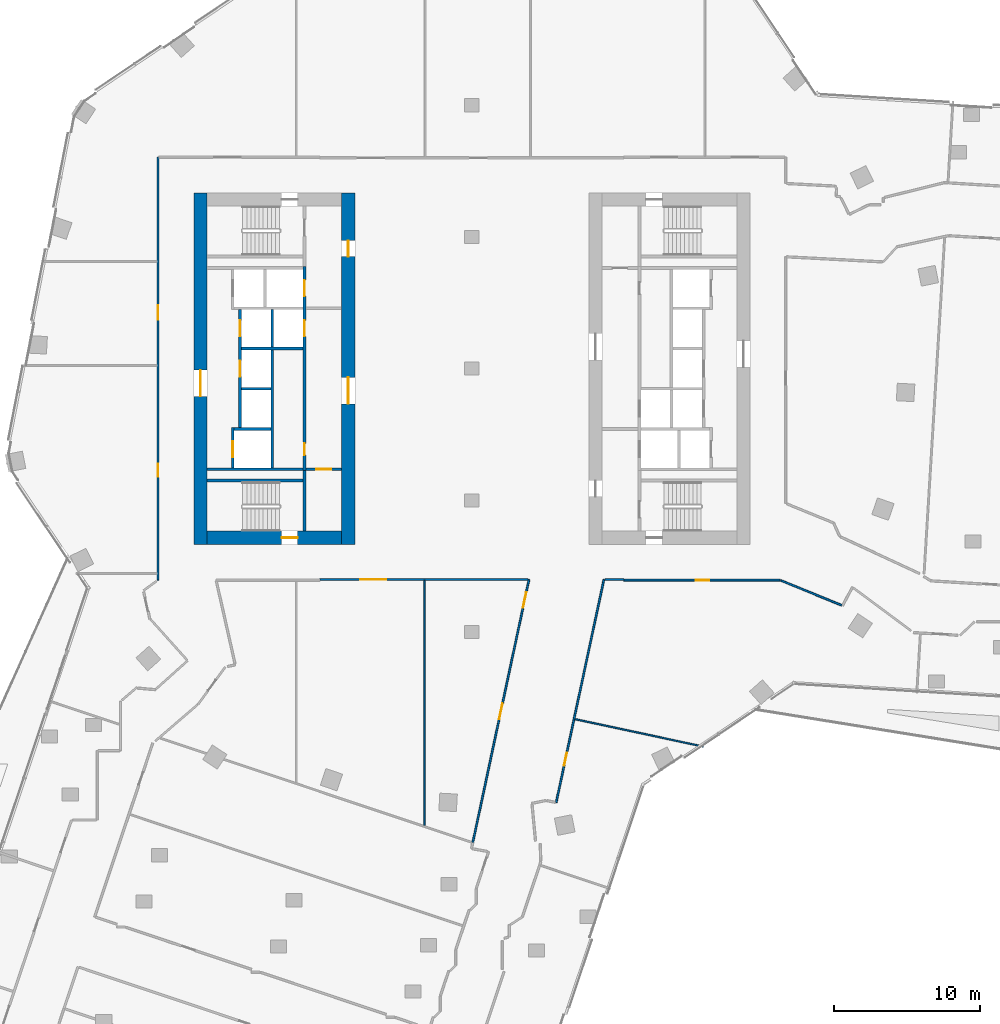
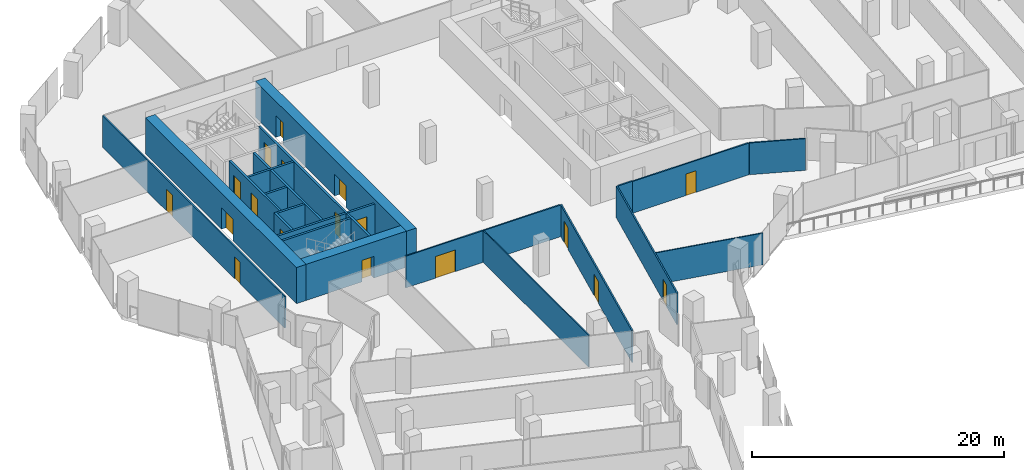
# One storey, part 23 of 34: 24 walls, 18 doors, 18 openings.
"""IFC4 building model written with IfcOpenShell, lengths in metres."""

import ifcopenshell
import ifcopenshell.guid

model = None  # the IFC model being written
_history = None  # IfcOwnerHistory: only IFC2X3 demands one
_inside = {}  # id of a spatial element -> (the spatial element, [elements in it])
_under = {}  # id of a project, library or spatial element -> (it, [spatial elements below it])
_declared = {}  # id of a project -> (the project, [libraries it declares])
_typed = {}  # id of a type object -> (the type object, [elements of that type])
_made_of = {}  # id of a material, layer set ... -> (it, [elements and type objects made of it])


def new_model(schema):
    """Start an empty IFC model of exactly this schema.

    Asked for "IFC4X3", IfcOpenShell would pick the latest addendum, in which some entities
    have other attributes; the version numbers below select the first issue.
    IFC2X3 requires an IfcOwnerHistory on every rooted entity: one is made here for all.
    """
    global model, _history
    if schema == "IFC4X3":
        model = ifcopenshell.file(schema_version=(4, 3, 0, 0))
    else:
        model = ifcopenshell.file(schema=schema)
    _inside.clear()
    _under.clear()
    _declared.clear()
    _typed.clear()
    _made_of.clear()
    _history = None
    if model.schema == "IFC2X3":
        org = make("IfcOrganization", Name="unknown")
        user = make(
            "IfcPersonAndOrganization",
            ThePerson=make("IfcPerson", FamilyName="unknown"),
            TheOrganization=org,
        )
        app = make(
            "IfcApplication",
            ApplicationDeveloper=org,
            Version="unknown",
            ApplicationFullName="unknown",
            ApplicationIdentifier="unknown",
        )
        _history = make(
            "IfcOwnerHistory",
            OwningUser=user,
            OwningApplication=app,
            ChangeAction="ADDED",
            CreationDate=0,
        )
    return model


def make(cls, **values):
    """One entity of the class cls with the attributes given. An attribute that is None is left unset."""
    return model.create_entity(
        cls, **{name: value for name, value in values.items() if value is not None}
    )


def rooted(cls, **values):
    """An entity with a GlobalId (a new one), such as an element, a storey or a relation."""
    return make(cls, GlobalId=ifcopenshell.guid.new(), OwnerHistory=_history, **values)


def si_unit(unit_type, name, prefix=None):
    """IfcSIUnit, for example si_unit("LENGTHUNIT", "METRE", prefix="MILLI")."""
    return make("IfcSIUnit", UnitType=unit_type, Prefix=prefix, Name=name)


def assignment(units):
    """IfcUnitAssignment: the units of a project."""
    return None if units is None else make("IfcUnitAssignment", Units=units)


def point(xyz):
    """IfcCartesianPoint."""
    return None if xyz is None else make("IfcCartesianPoint", Coordinates=xyz)


def direction(xyz):
    """IfcDirection."""
    return None if xyz is None else make("IfcDirection", DirectionRatios=xyz)


def frame(location, z_axis=None, x_axis=None):
    """IfcAxis2Placement3D, a coordinate frame: its origin and axes. An axis left out is left unset."""
    return make(
        "IfcAxis2Placement3D",
        Location=point(location),
        Axis=direction(z_axis),
        RefDirection=direction(x_axis),
    )


def frame_2d(location, x_axis=None):
    """IfcAxis2Placement2D, a coordinate frame in the plane: its origin and x axis."""
    return make(
        "IfcAxis2Placement2D", Location=point(location), RefDirection=direction(x_axis)
    )


def origin():
    """The frame at (0, 0, 0) with its axes left unset."""
    return frame((0.0, 0.0, 0.0))


def place(relative_to, where):
    """IfcLocalPlacement: puts the frame where relative to a parent placement (None: the world)."""
    return make(
        "IfcLocalPlacement", PlacementRelTo=relative_to, RelativePlacement=where
    )


def context(
    kind, dimensions, precision=None, world=None, true_north=None, identifier=None
):
    """IfcGeometricRepresentationContext, for example the 3D "Model" context."""
    return make(
        "IfcGeometricRepresentationContext",
        ContextIdentifier=identifier,
        ContextType=kind,
        CoordinateSpaceDimension=dimensions,
        Precision=precision,
        WorldCoordinateSystem=world,
        TrueNorth=true_north,
    )


def subcontext(parent, identifier, kind, view, scale=None):
    """IfcGeometricRepresentationSubContext, for example "Body" below "Model"."""
    return make(
        "IfcGeometricRepresentationSubContext",
        ContextIdentifier=identifier,
        ContextType=kind,
        ParentContext=parent,
        TargetScale=scale,
        TargetView=view,
    )


def project(units=None, contexts=None):
    """IfcProject with its units and contexts."""
    return rooted(
        "IfcProject",
        Name="project",
        RepresentationContexts=contexts,
        UnitsInContext=assignment(units),
    )


def spatial(cls, under=None, at=None, **own):
    """A site, building, storey or space (cls), placed at a placement, below another one or the project."""
    s = rooted(cls, ObjectPlacement=at, **own)
    if under is not None:
        _under.setdefault(under.id(), (under, []))[1].append(s)
    return s


def profile(cls, at=None, kind="AREA", **sizes):
    """A parametric profile (cls). Its sizes go by their IFC names, for example OverallWidth=200.0."""
    return make(cls, ProfileType=kind, Position=at, **sizes)


def rectangle(**sizes):
    """IfcRectangleProfileDef."""
    return profile("IfcRectangleProfileDef", **sizes)


def extrude(swept, where, along, depth):
    """IfcExtrudedAreaSolid: the profile swept, set in the frame where, extruded along a direction by depth."""
    return make(
        "IfcExtrudedAreaSolid",
        SweptArea=swept,
        Position=where,
        ExtrudedDirection=direction(along),
        Depth=depth,
    )


def shape(context_of_items, identifier, shape_type, items):
    """IfcShapeRepresentation: the items that make up one representation, for example the "Body"."""
    return make(
        "IfcShapeRepresentation",
        ContextOfItems=context_of_items,
        RepresentationIdentifier=identifier,
        RepresentationType=shape_type,
        Items=items,
    )


def material(Name=None, Category=None):
    """IfcMaterial."""
    return make("IfcMaterial", Name=Name, Category=Category)


def layer(
    of_material, thickness, ventilated=None, Name=None, Category=None, Priority=None
):
    """IfcMaterialLayer: one layer of a wall or slab, of a material (None: an air gap)."""
    return make(
        "IfcMaterialLayer",
        Material=of_material,
        LayerThickness=thickness,
        IsVentilated=ventilated,
        Name=Name,
        Category=Category,
        Priority=Priority,
    )


def layer_set(layers, Name=None):
    """IfcMaterialLayerSet."""
    return make("IfcMaterialLayerSet", MaterialLayers=layers, LayerSetName=Name)


def made_of(thing, what):
    """Note that an element or type object is made of a material, layer set ...; save() writes the relation."""
    if what is not None:
        _made_of.setdefault(what.id(), (what, []))[1].append(thing)
    return thing


def type_object(cls, material=None, **own):
    """A type object (cls), such as IfcWallType, which elements share."""
    return made_of(rooted(cls, **own), material)


def element(
    cls,
    number,
    at=None,
    inside=None,
    cuts=None,
    type_object=None,
    material=None,
    context=None,
    identifier="Body",
    shape_type=None,
    held_by="IfcProductDefinitionShape",
    body=None,
    shapes=None,
    **own,
):
    """One element of the class cls, such as IfcWall. Its Tag is "e" and its number.

    at: its placement. inside: the storey or other place that contains it. cuts: it is an
    opening in that element (IfcRelVoidsElement). A single representation is given by context,
    identifier, shape_type and body (its items); several are given by shapes. held_by: the class
    of the entity that holds the representations. save() writes the other relations.
    """
    e = rooted(cls, Tag="e%d" % number, ObjectPlacement=at, **own)
    if body is not None:
        shapes = [shape(context, identifier, shape_type, body)]
    if shapes is not None:
        e.Representation = make(held_by, Representations=shapes)
    if inside is not None:
        _inside.setdefault(inside.id(), (inside, []))[1].append(e)
    if cuts is not None:
        rooted(
            "IfcRelVoidsElement", RelatingBuildingElement=cuts, RelatedOpeningElement=e
        )
    if type_object is not None:
        _typed.setdefault(type_object.id(), (type_object, []))[1].append(e)
    return made_of(e, material)


def fill(opening, filler):
    """IfcRelFillsElement: the door or window that sits in an opening."""
    return rooted(
        "IfcRelFillsElement",
        RelatingOpeningElement=opening,
        RelatedBuildingElement=filler,
    )


def aggregate(whole, parts):
    """IfcRelAggregates: a whole, such as a stair, and the parts it consists of."""
    return rooted("IfcRelAggregates", RelatingObject=whole, RelatedObjects=parts)


def save(model, path):
    """Write the relations noted so far, then the file.

    IfcRelAggregates (storeys below a building ...), IfcRelContainedInSpatialStructure (elements
    in a storey), IfcRelDefinesByType, IfcRelAssociatesMaterial and IfcRelDeclares: one each for
    every whole, place, type object, material and project.
    """
    for whole, parts in _under.values():
        aggregate(whole, parts)
    for where, things in _inside.values():
        rooted(
            "IfcRelContainedInSpatialStructure",
            RelatedElements=things,
            RelatingStructure=where,
        )
    for kind, things in _typed.values():
        rooted("IfcRelDefinesByType", RelatedObjects=things, RelatingType=kind)
    for what, things in _made_of.values():
        rooted("IfcRelAssociatesMaterial", RelatedObjects=things, RelatingMaterial=what)
    for by, libraries in _declared.values():
        rooted("IfcRelDeclares", RelatingContext=by, RelatedDefinitions=libraries)
    model.write(path)


model = new_model("IFC4")

# Units and contexts
model_context = context("Model", 3, precision=1e-05, world=origin(), true_north=direction((0.0, 1.0)))
body_context = subcontext(model_context, "Body", "Model", "MODEL_VIEW")
ifc_project = project(units=[si_unit("LENGTHUNIT", "METRE"), si_unit("AREAUNIT", "SQUARE_METRE"), si_unit("VOLUMEUNIT", "CUBIC_METRE"), si_unit("PLANEANGLEUNIT", "RADIAN"), si_unit("MASSUNIT", "GRAM", prefix="KILO")], contexts=[model_context])

# Site, building, storey
site_placement = place(None, origin())
site = spatial("IfcSite", under=ifc_project, at=site_placement, CompositionType="ELEMENT")
building_placement = place(site_placement, origin())
building = spatial("IfcBuilding", under=site, at=building_placement, Name="Orlundy Tower", CompositionType="ELEMENT")
storey_placement = place(building_placement, frame((0.0, 0.0, 145.60009765625)))
storey = spatial("IfcBuildingStorey", under=building, at=storey_placement, Name="L37", CompositionType="ELEMENT", Elevation=145.60009765625)

# Wall, opening, door
ifc_material_1 = material(Name="Concrete C70/85", Category="concrete")
ifc_layer_1 = layer(ifc_material_1, 0.89990234375)
ifc_layer_set_1 = layer_set([ifc_layer_1], Name="CORE WALL 900 C70/85")
wall_type_1 = type_object("IfcWallType", Name="CORE WALL 900 C70/85", PredefinedType="SHEAR", material=ifc_layer_set_1)
wall_1_placement = place(storey_placement, frame((-18.10009765625, -11.550048828125, 0.0), z_axis=(0.0, 0.0, 1.0), x_axis=(1.0, 0.0, 0.0)))
wall_1 = element("IfcWall", 1, at=wall_1_placement, inside=storey, type_object=wall_type_1, Name="Core wall W-S L37", PredefinedType="SHEAR", context=body_context, shape_type="SweptSolid", body=[
    extrude(rectangle(XDim=9.2001953125, YDim=0.89990234375, at=frame_2d((4.60009765625, 0.0))), origin(), (0.0, 0.0, 1.0), 3.5),
])
opening_1_placement = place(wall_1_placement, frame((5.10009765625, 0.0, 0.0)))
opening_1 = element("IfcOpeningElement", 2, at=opening_1_placement, cuts=wall_1, Name="Opening 28012", PredefinedType="OPENING", context=body_context, shape_type="SweptSolid", body=[
    extrude(rectangle(XDim=1.10009765625, YDim=2.10009765625, at=frame_2d((0.550048828125, 1.050048828125))), frame((0.0, 0.4599609375, 0.0), z_axis=(0.0, -1.0, 0.0), x_axis=(1.0, 0.0, 0.0)), (0.0, 0.0, 1.0), 0.919921875),
])
ifc_material_2 = material(Name="Steel door set", Category="steel")
door_type_1 = type_object("IfcDoorType", Name="Stair Door 1100x2100", OperationType="SINGLE_SWING_LEFT", PredefinedType="DOOR", material=ifc_material_2)
door_1_placement = place(opening_1_placement, origin())
door_1 = element("IfcDoor", 3, at=door_1_placement, inside=storey, type_object=door_type_1, Name="Stair door 28012", OperationType="SINGLE_SWING_RIGHT", OverallHeight=2.10009765625, OverallWidth=1.10009765625, PredefinedType="DOOR", context=body_context, shape_type="SweptSolid", body=[
    extrude(rectangle(XDim=1.10009765625, YDim=2.10009765625, at=frame_2d((0.550048828125, 1.050048828125))), frame((0.0, 0.02490234375, 0.0), z_axis=(0.0, -1.0, 0.0), x_axis=(1.0, 0.0, 0.0)), (0.0, 0.0, 1.0), 0.050048828125),
])
fill(opening_1, door_1)

wall_2_placement = place(storey_placement, frame((-18.550048828125, -12.0, 0.0), z_axis=(0.0, 0.0, 1.0), x_axis=(0.0, 1.0, 0.0)))
wall_2 = element("IfcWall", 4, at=wall_2_placement, inside=storey, type_object=wall_type_1, Name="Core wall W-W L37", PredefinedType="SHEAR", context=body_context, shape_type="SweptSolid", body=[
    extrude(rectangle(XDim=24.0, YDim=0.89990234375, at=frame_2d((12.0, 0.0))), origin(), (0.0, 0.0, 1.0), 3.5),
])
opening_2_placement = place(wall_2_placement, frame((10.10009765625, 0.0, 0.0)))
opening_2 = element("IfcOpeningElement", 5, at=opening_2_placement, cuts=wall_2, Name="Opening 28009", PredefinedType="OPENING", context=body_context, shape_type="SweptSolid", body=[
    extrude(rectangle(XDim=1.800048828125, YDim=2.10009765625, at=frame_2d((0.89990234375, 1.050048828125))), frame((0.0, 0.4599609375, 0.0), z_axis=(0.0, -1.0, 0.0), x_axis=(1.0, 0.0, 0.0)), (0.0, 0.0, 1.0), 0.919921875),
])
ifc_material_3 = material(Name="Timber door set", Category="wood")
door_type_2 = type_object("IfcDoorType", Name="Lobby Door 1800x2100", OperationType="DOUBLE_DOOR_DOUBLE_SWING", PredefinedType="DOOR", material=ifc_material_3)
door_2_placement = place(opening_2_placement, origin())
door_2 = element("IfcDoor", 6, at=door_2_placement, inside=storey, type_object=door_type_2, Name="Lift lobby door 28009", OperationType="SINGLE_SWING_LEFT", OverallHeight=2.10009765625, OverallWidth=1.800048828125, PredefinedType="DOOR", context=body_context, shape_type="SweptSolid", body=[
    extrude(rectangle(XDim=1.800048828125, YDim=2.10009765625, at=frame_2d((0.89990234375, 1.050048828125))), frame((0.0, 0.02490234375, 0.0), z_axis=(0.0, -1.0, 0.0), x_axis=(1.0, 0.0, 0.0)), (0.0, 0.0, 1.0), 0.050048828125),
])
fill(opening_2, door_2)

# Wall, openings, doors
wall_3_placement = place(storey_placement, frame((-8.449951171875, -12.0, 0.0), z_axis=(0.0, 0.0, 1.0), x_axis=(0.0, 1.0, 0.0)))
wall_3 = element("IfcWall", 7, at=wall_3_placement, inside=storey, type_object=wall_type_1, Name="Core wall W-E L37", PredefinedType="SHEAR", context=body_context, shape_type="SweptSolid", body=[
    extrude(rectangle(XDim=24.0, YDim=0.89990234375, at=frame_2d((12.0, 0.0))), origin(), (0.0, 0.0, 1.0), 3.5),
])
opening_3_placement = place(wall_3_placement, frame((9.60009765625, 0.0, 0.0)))
opening_3 = element("IfcOpeningElement", 8, at=opening_3_placement, cuts=wall_3, Name="Opening 28008", PredefinedType="OPENING", context=body_context, shape_type="SweptSolid", body=[
    extrude(rectangle(XDim=1.800048828125, YDim=2.10009765625, at=frame_2d((0.89990234375, 1.050048828125))), frame((0.0, 0.4599609375, 0.0), z_axis=(0.0, -1.0, 0.0), x_axis=(1.0, 0.0, 0.0)), (0.0, 0.0, 1.0), 0.919921875),
])
opening_4_placement = place(wall_3_placement, frame((19.64990234375, 0.0, 0.0)))
opening_4 = element("IfcOpeningElement", 9, at=opening_4_placement, cuts=wall_3, Name="Opening 28010", PredefinedType="OPENING", context=body_context, shape_type="SweptSolid", body=[
    extrude(rectangle(XDim=1.10009765625, YDim=2.10009765625, at=frame_2d((0.550048828125, 1.050048828125))), frame((0.0, 0.4599609375, 0.0), z_axis=(0.0, -1.0, 0.0), x_axis=(1.0, 0.0, 0.0)), (0.0, 0.0, 1.0), 0.919921875),
])
ifc_material_4 = material(Name="Steel door set", Category="steel")
door_type_3 = type_object("IfcDoorType", Name="Fire-fighting Lobby Door 1100x2100", OperationType="SINGLE_SWING_LEFT", PredefinedType="DOOR", material=ifc_material_4)
door_3_placement = place(opening_4_placement, origin())
door_3 = element("IfcDoor", 10, at=door_3_placement, inside=storey, type_object=door_type_3, Name="Fire-fighting lobby door 28010", OperationType="SINGLE_SWING_RIGHT", OverallHeight=2.10009765625, OverallWidth=1.10009765625, PredefinedType="DOOR", context=body_context, shape_type="SweptSolid", body=[
    extrude(rectangle(XDim=1.10009765625, YDim=2.10009765625, at=frame_2d((0.550048828125, 1.050048828125))), frame((0.0, 0.02490234375, 0.0), z_axis=(0.0, -1.0, 0.0), x_axis=(1.0, 0.0, 0.0)), (0.0, 0.0, 1.0), 0.050048828125),
])
fill(opening_4, door_3)
door_4_placement = place(opening_3_placement, origin())
door_4 = element("IfcDoor", 11, at=door_4_placement, inside=storey, type_object=door_type_2, Name="Lift lobby door 28008", OperationType="SINGLE_SWING_LEFT", OverallHeight=2.10009765625, OverallWidth=1.800048828125, PredefinedType="DOOR", context=body_context, shape_type="SweptSolid", body=[
    extrude(rectangle(XDim=1.800048828125, YDim=2.10009765625, at=frame_2d((0.89990234375, 1.050048828125))), frame((0.0, 0.02490234375, 0.0), z_axis=(0.0, -1.0, 0.0), x_axis=(1.0, 0.0, 0.0)), (0.0, 0.0, 1.0), 0.050048828125),
])
fill(opening_3, door_4)

# Walls
ifc_material_5 = material(Name="Gypsum board partition")
ifc_layer_2 = layer(ifc_material_5, 0.10009765625)
ifc_layer_set_2 = layer_set([ifc_layer_2], Name="Floor partition 100")
wall_type_2 = type_object("IfcWallType", Name="Floor partition 100", PredefinedType="PARTITIONING", material=ifc_layer_set_2)
wall_4_placement = place(storey_placement, frame((7.0439453125, -23.947998046875, 0.0), z_axis=(0.0, 0.0, 1.0), x_axis=(0.977886023379, -0.209138531316, 0.0)))
element("IfcWall", 12, at=wall_4_placement, inside=storey, type_object=wall_type_2, Name="wall-int-L37-030", PredefinedType="PARTITIONING", context=body_context, shape_type="SweptSolid", body=[
    extrude(rectangle(XDim=8.96533203125, YDim=0.10009765625, at=frame_2d((4.482666015625, 0.0))), origin(), (0.0, 0.0, 1.0), 3.079833984375),
])
wall_5_placement = place(storey_placement, frame((-3.240966796875, -31.212890625, 0.0), z_axis=(0.0, 0.0, 1.0), x_axis=(0.0, 1.0, 0.0)))
element("IfcWall", 13, at=wall_5_placement, inside=storey, type_object=wall_type_2, Name="wall-int-L37-143", PredefinedType="PARTITIONING", context=body_context, shape_type="SweptSolid", body=[
    extrude(rectangle(XDim=16.75, YDim=0.10009765625, at=frame_2d((8.375, 0.0))), origin(), (0.0, 0.0, 1.0), 3.079833984375),
])
ifc_material_6 = material(Name="Gypsum board partition, double layer")
ifc_layer_3 = layer(ifc_material_6, 0.125)
ifc_layer_set_3 = layer_set([ifc_layer_3], Name="Floor partition 125")
wall_type_3 = type_object("IfcWallType", Name="Floor partition 125", PredefinedType="PARTITIONING", material=ifc_layer_set_3)
wall_6_placement = place(storey_placement, frame((21.117919921875, -14.47509765625, 0.0), z_axis=(0.0, 0.0, 1.0), x_axis=(0.925826662129, -0.377948398187, 0.0)))
element("IfcWall", 14, at=wall_6_placement, inside=storey, type_object=wall_type_3, Name="wall-int-L37-013", PredefinedType="PARTITIONING", context=body_context, shape_type="SweptSolid", body=[
    extrude(rectangle(XDim=4.48681640625, YDim=0.125, at=frame_2d((2.243408203125, 0.0))), origin(), (0.0, 0.0, 1.0), 3.079833984375),
])

# Wall, opening, door
wall_7_placement = place(storey_placement, frame((21.06005859375, -14.450927734375, 0.0), z_axis=(0.0, 0.0, 1.0), x_axis=(-1.0, 0.0, 0.0)))
wall_7 = element("IfcWall", 15, at=wall_7_placement, inside=storey, type_object=wall_type_3, Name="wall-int-L37-063", PredefinedType="PARTITIONING", context=body_context, shape_type="SweptSolid", body=[
    extrude(rectangle(XDim=10.6689453125, YDim=0.125, at=frame_2d((5.33447265625, 0.0))), origin(), (0.0, 0.0, 1.0), 3.079833984375),
])
opening_5_placement = place(wall_7_placement, frame((4.85009765625, 0.0, 0.0)))
opening_5 = element("IfcOpeningElement", 16, at=opening_5_placement, cuts=wall_7, Name="Opening 28126", PredefinedType="OPENING", context=body_context, shape_type="SweptSolid", body=[
    extrude(rectangle(XDim=0.89990234375, YDim=2.10009765625, at=frame_2d((0.449951171875, 1.050048828125))), frame((0.0, 0.072509765625, 0.0), z_axis=(0.0, -1.0, 0.0), x_axis=(1.0, 0.0, 0.0)), (0.0, 0.0, 1.0), 0.14501953125),
])
ifc_material_7 = material(Name="Timber door leaf", Category="wood")
door_type_4 = type_object("IfcDoorType", Name="Floor door single 900 FD30S", OperationType="NOTDEFINED", PredefinedType="DOOR", material=ifc_material_7)
door_5_placement = place(opening_5_placement, origin())
door_5 = element("IfcDoor", 17, at=door_5_placement, inside=storey, type_object=door_type_4, Name="Door 28126", OperationType="SINGLE_SWING_LEFT", OverallHeight=2.10009765625, OverallWidth=0.89990234375, PredefinedType="DOOR", context=body_context, shape_type="SweptSolid", body=[
    extrude(rectangle(XDim=0.89990234375, YDim=2.10009765625, at=frame_2d((0.449951171875, 1.050048828125))), frame((0.0, 0.02490234375, 0.0), z_axis=(0.0, -1.0, 0.0), x_axis=(1.0, 0.0, 0.0)), (0.0, 0.0, 1.0), 0.050048828125),
])
fill(opening_5, door_5)

wall_8_placement = place(storey_placement, frame((3.8310546875, -14.40087890625, 0.0), z_axis=(0.0, 0.0, 1.0), x_axis=(-1.0, 0.0, 0.0)))
wall_8 = element("IfcWall", 18, at=wall_8_placement, inside=storey, type_object=wall_type_3, Name="wall-int-L37-064", PredefinedType="PARTITIONING", context=body_context, shape_type="SweptSolid", body=[
    extrude(rectangle(XDim=14.220947265625, YDim=0.125, at=frame_2d((7.1103515625, 0.0))), origin(), (0.0, 0.0, 1.0), 3.079833984375),
])
opening_6_placement = place(wall_8_placement, frame((9.671630859375, 0.0, 0.0)))
opening_6 = element("IfcOpeningElement", 19, at=opening_6_placement, cuts=wall_8, Name="Opening 28122", PredefinedType="OPENING", context=body_context, shape_type="SweptSolid", body=[
    extrude(rectangle(XDim=1.800048828125, YDim=2.10009765625, at=frame_2d((0.89990234375, 1.050048828125))), frame((0.0, 0.072509765625, 0.0), z_axis=(0.0, -1.0, 0.0), x_axis=(1.0, 0.0, 0.0)), (0.0, 0.0, 1.0), 0.14501953125),
])
ifc_material_8 = material(Name="Timber door leaf", Category="wood")
door_type_5 = type_object("IfcDoorType", Name="Floor door double 1800 FD30S", OperationType="NOTDEFINED", PredefinedType="DOOR", material=ifc_material_8)
door_6_placement = place(opening_6_placement, origin())
door_6 = element("IfcDoor", 20, at=door_6_placement, inside=storey, type_object=door_type_5, Name="Door 28122", OperationType="DOUBLE_DOOR_SINGLE_SWING", OverallHeight=2.10009765625, OverallWidth=1.800048828125, PredefinedType="DOOR", context=body_context, shape_type="SweptSolid", body=[
    extrude(rectangle(XDim=1.800048828125, YDim=2.10009765625, at=frame_2d((0.89990234375, 1.050048828125))), frame((0.0, 0.02490234375, 0.0), z_axis=(0.0, -1.0, 0.0), x_axis=(1.0, 0.0, 0.0)), (0.0, 0.0, 1.0), 0.050048828125),
])
fill(opening_6, door_6)

# Wall
wall_9_placement = place(storey_placement, frame((9.09912109375, -14.40087890625, 0.0), z_axis=(0.0, 0.0, 1.0), x_axis=(1.0, 0.0, 0.0)))
element("IfcWall", 21, at=wall_9_placement, inside=storey, type_object=wall_type_3, Name="wall-int-L37-065", PredefinedType="PARTITIONING", context=body_context, shape_type="SweptSolid", body=[
    extrude(rectangle(XDim=1.2919921875, YDim=0.125, at=frame_2d((0.64599609375, 0.0))), origin(), (0.0, 0.0, 1.0), 3.079833984375),
])

# Wall, opening, door
wall_10_placement = place(storey_placement, frame((9.02197265625, -14.39892578125, 0.0), z_axis=(0.0, 0.0, 1.0), x_axis=(-0.209107827196, -0.977892589503, 0.0)))
wall_10 = element("IfcWall", 22, at=wall_10_placement, inside=storey, type_object=wall_type_3, Name="wall-int-L37-111", PredefinedType="PARTITIONING", context=body_context, shape_type="SweptSolid", body=[
    extrude(rectangle(XDim=15.5947265625, YDim=0.125, at=frame_2d((7.79736328125, 0.0))), origin(), (0.0, 0.0, 1.0), 3.079833984375),
])
opening_7_placement = place(wall_10_placement, frame((12.101318359375, 0.0, 0.0)))
opening_7 = element("IfcOpeningElement", 23, at=opening_7_placement, cuts=wall_10, Name="Opening 28125", PredefinedType="OPENING", context=body_context, shape_type="SweptSolid", body=[
    extrude(rectangle(XDim=0.89990234375, YDim=2.10009765625, at=frame_2d((0.449951171875, 1.050048828125))), frame((0.0, 0.072509765625, 0.0), z_axis=(0.0, -1.0, 0.0), x_axis=(1.0, 0.0, 0.0)), (0.0, 0.0, 1.0), 0.14501953125),
])
door_7_placement = place(opening_7_placement, origin())
door_7 = element("IfcDoor", 24, at=door_7_placement, inside=storey, type_object=door_type_4, Name="Door 28125", OperationType="SINGLE_SWING_RIGHT", OverallHeight=2.10009765625, OverallWidth=0.89990234375, PredefinedType="DOOR", context=body_context, shape_type="SweptSolid", body=[
    extrude(rectangle(XDim=0.89990234375, YDim=2.10009765625, at=frame_2d((0.449951171875, 1.050048828125))), frame((0.0, 0.02490234375, 0.0), z_axis=(0.0, -1.0, 0.0), x_axis=(1.0, 0.0, 0.0)), (0.0, 0.0, 1.0), 0.050048828125),
])
fill(opening_7, door_7)

# Wall, openings, doors
wall_11_placement = place(storey_placement, frame((0.06103515625, -32.386962890625, 0.0), z_axis=(0.0, 0.0, 1.0), x_axis=(0.209029624493, 0.977909308721, 0.0)))
wall_11 = element("IfcWall", 25, at=wall_11_placement, inside=storey, type_object=wall_type_3, Name="wall-int-L37-112", PredefinedType="PARTITIONING", context=body_context, shape_type="SweptSolid", body=[
    extrude(rectangle(XDim=18.394287109375, YDim=0.125, at=frame_2d((9.197265625, 0.0))), origin(), (0.0, 0.0, 1.0), 3.079833984375),
])
opening_8_placement = place(wall_11_placement, frame((8.624267578125, 0.0, 0.0)))
opening_8 = element("IfcOpeningElement", 26, at=opening_8_placement, cuts=wall_11, Name="Opening 28123", PredefinedType="OPENING", context=body_context, shape_type="SweptSolid", body=[
    extrude(rectangle(XDim=1.10009765625, YDim=2.10009765625, at=frame_2d((0.550048828125, 1.050048828125))), frame((0.0, 0.072509765625, 0.0), z_axis=(0.0, -1.0, 0.0), x_axis=(1.0, 0.0, 0.0)), (0.0, 0.0, 1.0), 0.14501953125),
])
opening_9_placement = place(wall_11_placement, frame((16.404052734375, 0.0, 0.0)))
opening_9 = element("IfcOpeningElement", 27, at=opening_9_placement, cuts=wall_11, Name="Opening 28124", PredefinedType="OPENING", context=body_context, shape_type="SweptSolid", body=[
    extrude(rectangle(XDim=1.10009765625, YDim=2.10009765625, at=frame_2d((0.550048828125, 1.050048828125))), frame((0.0, 0.072509765625, 0.0), z_axis=(0.0, -1.0, 0.0), x_axis=(1.0, 0.0, 0.0)), (0.0, 0.0, 1.0), 0.14501953125),
])
ifc_material_9 = material(Name="Timber door leaf", Category="wood")
door_type_6 = type_object("IfcDoorType", Name="Floor door xwide 1100 FD30S", OperationType="NOTDEFINED", PredefinedType="DOOR", material=ifc_material_9)
door_8_placement = place(opening_8_placement, origin())
door_8 = element("IfcDoor", 28, at=door_8_placement, inside=storey, type_object=door_type_6, Name="Door 28123", OperationType="SINGLE_SWING_LEFT", OverallHeight=2.10009765625, OverallWidth=1.10009765625, PredefinedType="DOOR", context=body_context, shape_type="SweptSolid", body=[
    extrude(rectangle(XDim=1.10009765625, YDim=2.10009765625, at=frame_2d((0.550048828125, 1.050048828125))), frame((0.0, 0.02490234375, 0.0), z_axis=(0.0, -1.0, 0.0), x_axis=(1.0, 0.0, 0.0)), (0.0, 0.0, 1.0), 0.050048828125),
])
fill(opening_8, door_8)
door_9_placement = place(opening_9_placement, origin())
door_9 = element("IfcDoor", 29, at=door_9_placement, inside=storey, type_object=door_type_6, Name="Door 28124", OperationType="SINGLE_SWING_RIGHT", OverallHeight=2.10009765625, OverallWidth=1.10009765625, PredefinedType="DOOR", context=body_context, shape_type="SweptSolid", body=[
    extrude(rectangle(XDim=1.10009765625, YDim=2.10009765625, at=frame_2d((0.550048828125, 1.050048828125))), frame((0.0, 0.02490234375, 0.0), z_axis=(0.0, -1.0, 0.0), x_axis=(1.0, 0.0, 0.0)), (0.0, 0.0, 1.0), 0.050048828125),
])
fill(opening_9, door_9)

wall_12_placement = place(storey_placement, frame((-21.449951171875, -14.445068359375, 0.0), z_axis=(0.0, 0.0, 1.0), x_axis=(0.0, 1.0, 0.0)))
wall_12 = element("IfcWall", 30, at=wall_12_placement, inside=storey, type_object=wall_type_3, Name="wall-int-L37-147", PredefinedType="PARTITIONING", context=body_context, shape_type="SweptSolid", body=[
    extrude(rectangle(XDim=28.89599609375, YDim=0.125, at=frame_2d((14.447998046875, 0.0))), origin(), (0.0, 0.0, 1.0), 3.079833984375),
])
opening_10_placement = place(wall_12_placement, frame((7.044921875, 0.0, 0.0)))
opening_10 = element("IfcOpeningElement", 31, at=opening_10_placement, cuts=wall_12, Name="Opening 28119", PredefinedType="OPENING", context=body_context, shape_type="SweptSolid", body=[
    extrude(rectangle(XDim=0.89990234375, YDim=2.10009765625, at=frame_2d((0.449951171875, 1.050048828125))), frame((0.0, 0.072509765625, 0.0), z_axis=(0.0, -1.0, 0.0), x_axis=(1.0, 0.0, 0.0)), (0.0, 0.0, 1.0), 0.14501953125),
])
opening_11_placement = place(wall_12_placement, frame((17.76904296875, 0.0, 0.0)))
opening_11 = element("IfcOpeningElement", 32, at=opening_11_placement, cuts=wall_12, Name="Opening 28133", PredefinedType="OPENING", context=body_context, shape_type="SweptSolid", body=[
    extrude(rectangle(XDim=1.0, YDim=2.10009765625, at=frame_2d((0.5, 1.050048828125))), frame((0.0, 0.072509765625, 0.0), z_axis=(0.0, -1.0, 0.0), x_axis=(1.0, 0.0, 0.0)), (0.0, 0.0, 1.0), 0.14501953125),
])
door_10_placement = place(opening_10_placement, origin())
door_10 = element("IfcDoor", 33, at=door_10_placement, inside=storey, type_object=door_type_4, Name="Door 28119", OperationType="SINGLE_SWING_LEFT", OverallHeight=2.10009765625, OverallWidth=0.89990234375, PredefinedType="DOOR", context=body_context, shape_type="SweptSolid", body=[
    extrude(rectangle(XDim=0.89990234375, YDim=2.10009765625, at=frame_2d((0.449951171875, 1.050048828125))), frame((0.0, 0.02490234375, 0.0), z_axis=(0.0, -1.0, 0.0), x_axis=(1.0, 0.0, 0.0)), (0.0, 0.0, 1.0), 0.050048828125),
])
fill(opening_10, door_10)
ifc_material_10 = material(Name="Timber door leaf", Category="wood")
door_type_7 = type_object("IfcDoorType", Name="Floor door wide 1000 FD30S", OperationType="NOTDEFINED", PredefinedType="DOOR", material=ifc_material_10)
door_11_placement = place(opening_11_placement, origin())
door_11 = element("IfcDoor", 34, at=door_11_placement, inside=storey, type_object=door_type_7, Name="Door 28133", OperationType="SINGLE_SWING_RIGHT", OverallHeight=2.10009765625, OverallWidth=1.0, PredefinedType="DOOR", context=body_context, shape_type="SweptSolid", body=[
    extrude(rectangle(XDim=1.0, YDim=2.10009765625, at=frame_2d((0.5, 1.050048828125))), frame((0.0, 0.02490234375, 0.0), z_axis=(0.0, -1.0, 0.0), x_axis=(1.0, 0.0, 0.0)), (0.0, 0.0, 1.0), 0.050048828125),
])
fill(opening_11, door_11)

# Walls
ifc_material_11 = material(Name="Concrete C40/50", Category="concrete")
ifc_layer_4 = layer(ifc_material_11, 0.199951171875)
ifc_layer_set_4 = layer_set([ifc_layer_4], Name="Load-bearing Shaft Wall 200")
wall_type_4 = type_object("IfcWallType", Name="Load-bearing Shaft Wall 200", PredefinedType="SOLIDWALL", material=ifc_layer_set_4)
wall_13_placement = place(storey_placement, frame((-11.43994140625, -11.10009765625, 0.0), z_axis=(0.0, 0.0, 1.0), x_axis=(0.0, 1.0, 0.0)))
element("IfcWall", 35, at=wall_13_placement, inside=storey, type_object=wall_type_4, Name="Shaft wall W28-stair-end-s", PredefinedType="SOLIDWALL", context=body_context, shape_type="SweptSolid", body=[
    extrude(rectangle(XDim=4.125, YDim=0.199951171875, at=frame_2d((2.0625, 0.0))), origin(), (0.0, 0.0, 1.0), 3.08984375),
])
wall_14_placement = place(storey_placement, frame((-11.5400390625, -7.64990234375, 0.0), z_axis=(0.0, 0.0, 1.0), x_axis=(-1.0, 0.0, 0.0)))
element("IfcWall", 36, at=wall_14_placement, inside=storey, type_object=wall_type_4, Name="Shaft wall W28-stair-side-s", PredefinedType="SOLIDWALL", context=body_context, shape_type="SweptSolid", body=[
    extrude(rectangle(XDim=6.56005859375, YDim=0.199951171875, at=frame_2d((3.280029296875, 0.0))), origin(), (0.0, 0.0, 1.0), 3.08984375),
])

# Wall, opening, door
ifc_material_12 = material(Name="Gypsum board partition on steel studs", Category="steel")
ifc_layer_5 = layer(ifc_material_12, 0.199951171875)
ifc_layer_set_5 = layer_set([ifc_layer_5], Name="Partition 200")
wall_type_5 = type_object("IfcWallType", Name="Partition 200", PredefinedType="PARTITIONING", material=ifc_layer_set_5)
wall_15_placement = place(storey_placement, frame((-8.89990234375, -6.875, 0.0), z_axis=(0.0, 0.0, 1.0), x_axis=(-1.0, 0.0, 0.0)))
wall_15 = element("IfcWall", 37, at=wall_15_placement, inside=storey, type_object=wall_type_5, Name="Partition wall W28-end-s", PredefinedType="PARTITIONING", context=body_context, shape_type="SweptSolid", body=[
    extrude(rectangle(XDim=2.440185546875, YDim=0.199951171875, at=frame_2d((1.22021484375, 0.0))), origin(), (0.0, 0.0, 1.0), 3.08984375),
])
opening_12_placement = place(wall_15_placement, frame((0.719970703125, 0.0, 0.0)))
opening_12 = element("IfcOpeningElement", 38, at=opening_12_placement, cuts=wall_15, Name="Opening 28014", PredefinedType="OPENING", context=body_context, shape_type="SweptSolid", body=[
    extrude(rectangle(XDim=1.0, YDim=2.10009765625, at=frame_2d((0.5, 1.050048828125))), frame((0.0, 0.110107421875, 0.0), z_axis=(0.0, -1.0, 0.0), x_axis=(1.0, 0.0, 0.0)), (0.0, 0.0, 1.0), 0.22021484375),
])
ifc_material_13 = material(Name="Timber door set", Category="wood")
door_type_8 = type_object("IfcDoorType", Name="Accessible Door 1000x2100", OperationType="SINGLE_SWING_LEFT", PredefinedType="DOOR", material=ifc_material_13)
door_12_placement = place(opening_12_placement, origin())
door_12 = element("IfcDoor", 39, at=door_12_placement, inside=storey, type_object=door_type_8, Name="Accessible WC door 28014", OperationType="SINGLE_SWING_RIGHT", OverallHeight=2.10009765625, OverallWidth=1.0, PredefinedType="DOOR", context=body_context, shape_type="SweptSolid", body=[
    extrude(rectangle(XDim=1.0, YDim=2.10009765625, at=frame_2d((0.5, 1.050048828125))), frame((0.0, 0.02490234375, 0.0), z_axis=(0.0, -1.0, 0.0), x_axis=(1.0, 0.0, 0.0)), (0.0, 0.0, 1.0), 0.050048828125),
])
fill(opening_12, door_12)

# Walls
ifc_material_14 = material(Name="Fire-rated blockwork shaft wall", Category="masonry")
ifc_layer_6 = layer(ifc_material_14, 0.199951171875)
ifc_layer_set_6 = layer_set([ifc_layer_6], Name="Shaft Wall 200")
wall_type_6 = type_object("IfcWallType", Name="Shaft Wall 200", PredefinedType="SOLIDWALL", material=ifc_layer_set_6)
wall_16_placement = place(storey_placement, frame((-11.5400390625, -6.875, 0.0), z_axis=(0.0, 0.0, 1.0), x_axis=(-1.0, 0.0, 0.0)))
element("IfcWall", 40, at=wall_16_placement, inside=storey, type_object=wall_type_6, Name="Shaft wall W28-zone-s", PredefinedType="SOLIDWALL", context=body_context, shape_type="SweptSolid", body=[
    extrude(rectangle(XDim=6.56005859375, YDim=0.199951171875, at=frame_2d((3.280029296875, 0.0))), origin(), (0.0, 0.0, 1.0), 3.08984375),
])
wall_17_placement = place(storey_placement, frame((-13.739990234375, -4.125, 0.0), z_axis=(0.0, 0.0, 1.0), x_axis=(-1.0, 0.0, 0.0)))
element("IfcWall", 41, at=wall_17_placement, inside=storey, type_object=wall_type_6, Name="Shaft wall W28-cross-4.125", PredefinedType="SOLIDWALL", context=body_context, shape_type="SweptSolid", body=[
    extrude(rectangle(XDim=2.5, YDim=0.199951171875, at=frame_2d((1.25, 0.0))), origin(), (0.0, 0.0, 1.0), 3.08984375),
])
wall_18_placement = place(storey_placement, frame((-13.739990234375, -1.375, 0.0), z_axis=(0.0, 0.0, 1.0), x_axis=(-1.0, 0.0, 0.0)))
element("IfcWall", 42, at=wall_18_placement, inside=storey, type_object=wall_type_6, Name="Shaft wall W28-cross-1.375", PredefinedType="SOLIDWALL", context=body_context, shape_type="SweptSolid", body=[
    extrude(rectangle(XDim=2.0, YDim=0.199951171875, at=frame_2d((1.0, 0.0))), origin(), (0.0, 0.0, 1.0), 3.08984375),
])
wall_19_placement = place(storey_placement, frame((-11.5400390625, 1.375, 0.0), z_axis=(0.0, 0.0, 1.0), x_axis=(-1.0, 0.0, 0.0)))
element("IfcWall", 43, at=wall_19_placement, inside=storey, type_object=wall_type_6, Name="Shaft wall W28-cross+1.375", PredefinedType="SOLIDWALL", context=body_context, shape_type="SweptSolid", body=[
    extrude(rectangle(XDim=4.199951171875, YDim=0.199951171875, at=frame_2d((2.10009765625, 0.0))), origin(), (0.0, 0.0, 1.0), 3.08984375),
])

# Wall, openings, doors
wall_20_placement = place(storey_placement, frame((-11.43994140625, -6.97509765625, 0.0), z_axis=(0.0, 0.0, 1.0), x_axis=(0.0, 1.0, 0.0)))
wall_20 = element("IfcWall", 44, at=wall_20_placement, inside=storey, type_object=wall_type_6, Name="Shaft wall W28-front-h", PredefinedType="SOLIDWALL", context=body_context, shape_type="SweptSolid", body=[
    extrude(rectangle(XDim=13.9501953125, YDim=0.199951171875, at=frame_2d((6.97509765625, 0.0))), origin(), (0.0, 0.0, 1.0), 3.08984375),
])
opening_13_placement = place(wall_20_placement, frame((9.175048828125, 0.0, 0.0)))
opening_13 = element("IfcOpeningElement", 45, at=opening_13_placement, cuts=wall_20, Name="Opening 28003", PredefinedType="OPENING", context=body_context, shape_type="SweptSolid", body=[
    extrude(rectangle(XDim=1.10009765625, YDim=2.10009765625, at=frame_2d((0.550048828125, 1.050048828125))), frame((0.0, 0.110107421875, 0.0), z_axis=(0.0, -1.0, 0.0), x_axis=(1.0, 0.0, 0.0)), (0.0, 0.0, 1.0), 0.22021484375),
])
opening_14_placement = place(wall_20_placement, frame((11.925048828125, 0.0, 0.0)))
opening_14 = element("IfcOpeningElement", 46, at=opening_14_placement, cuts=wall_20, Name="Opening 28005", PredefinedType="OPENING", context=body_context, shape_type="SweptSolid", body=[
    extrude(rectangle(XDim=1.10009765625, YDim=2.10009765625, at=frame_2d((0.550048828125, 1.050048828125))), frame((0.0, 0.110107421875, 0.0), z_axis=(0.0, -1.0, 0.0), x_axis=(1.0, 0.0, 0.0)), (0.0, 0.0, 1.0), 0.22021484375),
])
opening_15_placement = place(wall_20_placement, frame((1.074951171875, 0.0, 0.0)))
opening_15 = element("IfcOpeningElement", 47, at=opening_15_placement, cuts=wall_20, Name="Opening 28007", PredefinedType="OPENING", context=body_context, shape_type="SweptSolid", body=[
    extrude(rectangle(XDim=0.800048828125, YDim=2.10009765625, at=frame_2d((0.39990234375, 1.050048828125))), frame((0.0, 0.110107421875, 0.0), z_axis=(0.0, -1.0, 0.0), x_axis=(1.0, 0.0, 0.0)), (0.0, 0.0, 1.0), 0.22021484375),
])
ifc_material_15 = material(Name="Steel door set", Category="steel")
door_type_9 = type_object("IfcDoorType", Name="Landing Door 1100x2100", OperationType="DOUBLE_DOOR_SLIDING", PredefinedType="DOOR", material=ifc_material_15)
door_13_placement = place(opening_13_placement, origin())
door_13 = element("IfcDoor", 48, at=door_13_placement, inside=storey, type_object=door_type_9, Name="Lift landing door LP-12 28003", OperationType="DOUBLE_DOOR_SLIDING", OverallHeight=2.10009765625, OverallWidth=1.10009765625, PredefinedType="DOOR", context=body_context, shape_type="SweptSolid", body=[
    extrude(rectangle(XDim=1.10009765625, YDim=2.10009765625, at=frame_2d((0.550048828125, 1.050048828125))), frame((0.0, 0.02490234375, 0.0), z_axis=(0.0, -1.0, 0.0), x_axis=(1.0, 0.0, 0.0)), (0.0, 0.0, 1.0), 0.050048828125),
])
fill(opening_13, door_13)
door_14_placement = place(opening_14_placement, origin())
door_14 = element("IfcDoor", 49, at=door_14_placement, inside=storey, type_object=door_type_9, Name="Lift landing door FL1 28005", OperationType="DOUBLE_DOOR_SLIDING", OverallHeight=2.10009765625, OverallWidth=1.10009765625, PredefinedType="DOOR", context=body_context, shape_type="SweptSolid", body=[
    extrude(rectangle(XDim=1.10009765625, YDim=2.10009765625, at=frame_2d((0.550048828125, 1.050048828125))), frame((0.0, 0.02490234375, 0.0), z_axis=(0.0, -1.0, 0.0), x_axis=(1.0, 0.0, 0.0)), (0.0, 0.0, 1.0), 0.050048828125),
])
fill(opening_14, door_14)
ifc_material_16 = material(Name="Timber door set", Category="wood")
door_type_10 = type_object("IfcDoorType", Name="Riser Door 800x2100", OperationType="SINGLE_SWING_LEFT", PredefinedType="DOOR", material=ifc_material_16)
door_15_placement = place(opening_15_placement, origin())
door_15 = element("IfcDoor", 50, at=door_15_placement, inside=storey, type_object=door_type_10, Name="Pantry Store door 28007", OperationType="SINGLE_SWING_LEFT", OverallHeight=2.10009765625, OverallWidth=0.800048828125, PredefinedType="DOOR", context=body_context, shape_type="SweptSolid", body=[
    extrude(rectangle(XDim=0.800048828125, YDim=2.10009765625, at=frame_2d((0.39990234375, 1.050048828125))), frame((0.0, 0.02490234375, 0.0), z_axis=(0.0, -1.0, 0.0), x_axis=(1.0, 0.0, 0.0)), (0.0, 0.0, 1.0), 0.050048828125),
])
fill(opening_15, door_15)

# Walls
wall_21_placement = place(storey_placement, frame((-13.639892578125, -6.77490234375, 0.0), z_axis=(0.0, 0.0, 1.0), x_axis=(0.0, 1.0, 0.0)))
element("IfcWall", 51, at=wall_21_placement, inside=storey, type_object=wall_type_6, Name="Shaft wall W28-mid-a", PredefinedType="SOLIDWALL", context=body_context, shape_type="SweptSolid", body=[
    extrude(rectangle(XDim=8.0498046875, YDim=0.199951171875, at=frame_2d((4.02490234375, 0.0))), origin(), (0.0, 0.0, 1.0), 3.08984375),
])
wall_22_placement = place(storey_placement, frame((-13.639892578125, 1.47509765625, 0.0), z_axis=(0.0, 0.0, 1.0), x_axis=(0.0, 1.0, 0.0)))
element("IfcWall", 52, at=wall_22_placement, inside=storey, type_object=wall_type_6, Name="Shaft wall W28-mid-a.1", PredefinedType="SOLIDWALL", context=body_context, shape_type="SweptSolid", body=[
    extrude(rectangle(XDim=2.5498046875, YDim=0.199951171875, at=frame_2d((1.27490234375, 0.0))), origin(), (0.0, 0.0, 1.0), 3.08984375),
])

# Wall, opening, door
wall_23_placement = place(storey_placement, frame((-16.340087890625, -6.77490234375, 0.0), z_axis=(0.0, 0.0, 1.0), x_axis=(0.0, 1.0, 0.0)))
wall_23 = element("IfcWall", 53, at=wall_23_placement, inside=storey, type_object=wall_type_6, Name="Shaft wall W28-front-o-a", PredefinedType="SOLIDWALL", context=body_context, shape_type="SweptSolid", body=[
    extrude(rectangle(XDim=2.75, YDim=0.199951171875, at=frame_2d((1.375, 0.0))), origin(), (0.0, 0.0, 1.0), 3.08984375),
])
opening_16_placement = place(wall_23_placement, frame((0.72509765625, 0.0, 0.0)))
opening_16 = element("IfcOpeningElement", 54, at=opening_16_placement, cuts=wall_23, Name="Opening 28001", PredefinedType="OPENING", context=body_context, shape_type="SweptSolid", body=[
    extrude(rectangle(XDim=1.10009765625, YDim=2.10009765625, at=frame_2d((0.550048828125, 1.050048828125))), frame((0.0, 0.110107421875, 0.0), z_axis=(0.0, -1.0, 0.0), x_axis=(1.0, 0.0, 0.0)), (0.0, 0.0, 1.0), 0.22021484375),
])
door_16_placement = place(opening_16_placement, origin())
door_16 = element("IfcDoor", 55, at=door_16_placement, inside=storey, type_object=door_type_9, Name="Lift landing door LV-01 28001", OperationType="DOUBLE_DOOR_SLIDING", OverallHeight=2.10009765625, OverallWidth=1.10009765625, PredefinedType="DOOR", context=body_context, shape_type="SweptSolid", body=[
    extrude(rectangle(XDim=1.10009765625, YDim=2.10009765625, at=frame_2d((0.550048828125, 1.050048828125))), frame((0.0, 0.02490234375, 0.0), z_axis=(0.0, -1.0, 0.0), x_axis=(1.0, 0.0, 0.0)), (0.0, 0.0, 1.0), 0.050048828125),
])
fill(opening_16, door_16)

# Wall, openings, doors
wall_24_placement = place(storey_placement, frame((-15.840087890625, -4.02490234375, 0.0), z_axis=(0.0, 0.0, 1.0), x_axis=(0.0, 1.0, 0.0)))
wall_24 = element("IfcWall", 56, at=wall_24_placement, inside=storey, type_object=wall_type_6, Name="Shaft wall W28-front-o-b", PredefinedType="SOLIDWALL", context=body_context, shape_type="SweptSolid", body=[
    extrude(rectangle(XDim=8.0498046875, YDim=0.199951171875, at=frame_2d((4.02490234375, 0.0))), origin(), (0.0, 0.0, 1.0), 3.08984375),
])
opening_17_placement = place(wall_24_placement, frame((3.47509765625, 0.0, 0.0)))
opening_17 = element("IfcOpeningElement", 57, at=opening_17_placement, cuts=wall_24, Name="Opening 28002", PredefinedType="OPENING", context=body_context, shape_type="SweptSolid", body=[
    extrude(rectangle(XDim=1.10009765625, YDim=2.10009765625, at=frame_2d((0.550048828125, 1.050048828125))), frame((0.0, 0.110107421875, 0.0), z_axis=(0.0, -1.0, 0.0), x_axis=(1.0, 0.0, 0.0)), (0.0, 0.0, 1.0), 0.22021484375),
])
opening_18_placement = place(wall_24_placement, frame((6.22509765625, 0.0, 0.0)))
opening_18 = element("IfcOpeningElement", 58, at=opening_18_placement, cuts=wall_24, Name="Opening 28004", PredefinedType="OPENING", context=body_context, shape_type="SweptSolid", body=[
    extrude(rectangle(XDim=1.10009765625, YDim=2.10009765625, at=frame_2d((0.550048828125, 1.050048828125))), frame((0.0, 0.110107421875, 0.0), z_axis=(0.0, -1.0, 0.0), x_axis=(1.0, 0.0, 0.0)), (0.0, 0.0, 1.0), 0.22021484375),
])
door_17_placement = place(opening_17_placement, origin())
door_17 = element("IfcDoor", 59, at=door_17_placement, inside=storey, type_object=door_type_9, Name="Lift landing door LP-11 28002", OperationType="DOUBLE_DOOR_SLIDING", OverallHeight=2.10009765625, OverallWidth=1.10009765625, PredefinedType="DOOR", context=body_context, shape_type="SweptSolid", body=[
    extrude(rectangle(XDim=1.10009765625, YDim=2.10009765625, at=frame_2d((0.550048828125, 1.050048828125))), frame((0.0, 0.02490234375, 0.0), z_axis=(0.0, -1.0, 0.0), x_axis=(1.0, 0.0, 0.0)), (0.0, 0.0, 1.0), 0.050048828125),
])
fill(opening_17, door_17)
door_18_placement = place(opening_18_placement, origin())
door_18 = element("IfcDoor", 60, at=door_18_placement, inside=storey, type_object=door_type_9, Name="Lift landing door LP-13 28004", OperationType="DOUBLE_DOOR_SLIDING", OverallHeight=2.10009765625, OverallWidth=1.10009765625, PredefinedType="DOOR", context=body_context, shape_type="SweptSolid", body=[
    extrude(rectangle(XDim=1.10009765625, YDim=2.10009765625, at=frame_2d((0.550048828125, 1.050048828125))), frame((0.0, 0.02490234375, 0.0), z_axis=(0.0, -1.0, 0.0), x_axis=(1.0, 0.0, 0.0)), (0.0, 0.0, 1.0), 0.050048828125),
])
fill(opening_18, door_18)

save(model, "model.ifc")
